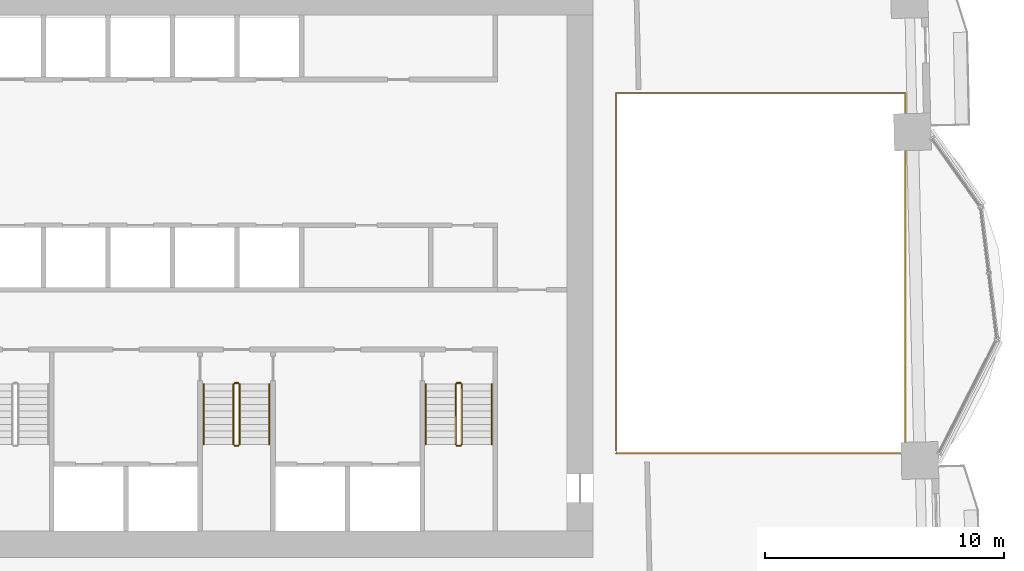
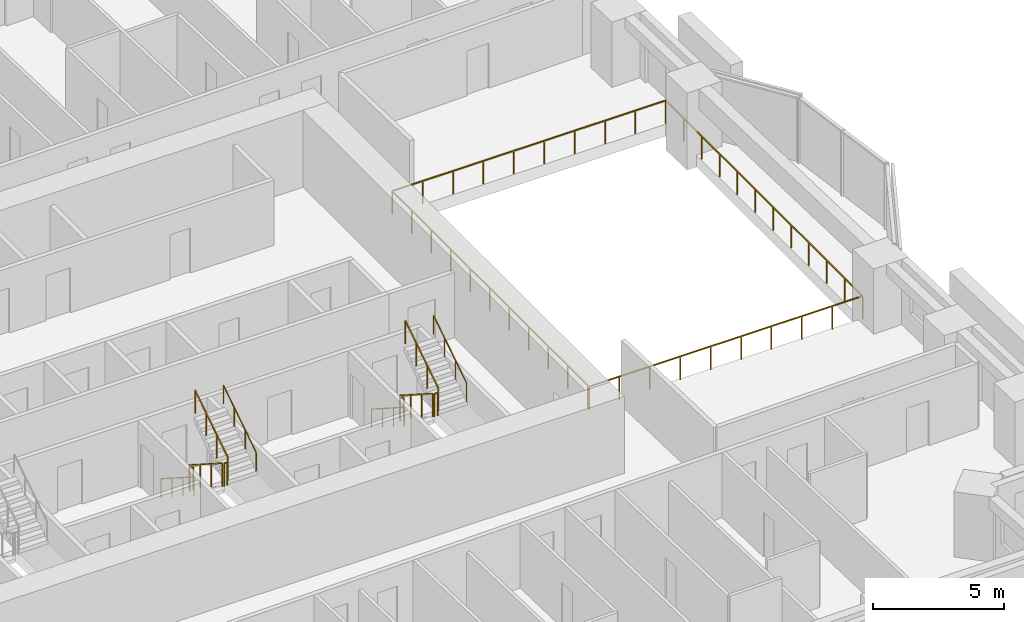
# One storey, part 15 of 16: 13 railings.
"""IFC4 building model written with IfcOpenShell, lengths in metres."""

from ifc_helpers import new_model, si_unit, direction, frame, origin, origin_2d, place, context, subcontext, project, spatial, rectangle, circle, extrude, material, type_object, element, save


model = new_model("IFC4")

# Units and contexts
model_context = context("Model", 3, precision=1e-05, world=origin(), true_north=direction((0.0, 1.0)))
body_context = subcontext(model_context, "Body", "Model", "MODEL_VIEW")
ifc_project = project(units=[si_unit("LENGTHUNIT", "METRE"), si_unit("AREAUNIT", "SQUARE_METRE"), si_unit("VOLUMEUNIT", "CUBIC_METRE"), si_unit("PLANEANGLEUNIT", "RADIAN"), si_unit("MASSUNIT", "GRAM", prefix="KILO")], contexts=[model_context])

# Site, building, storey
site_placement = place(None, origin())
site = spatial("IfcSite", under=ifc_project, at=site_placement, CompositionType="ELEMENT")
building_placement = place(site_placement, origin())
building = spatial("IfcBuilding", under=site, at=building_placement, Name="Mangrove Gate Tower", CompositionType="ELEMENT")
storey_placement = place(building_placement, frame((0.0, 0.0, 34.10009765625)))
storey = spatial("IfcBuildingStorey", under=building, at=storey_placement, Name="L07", CompositionType="ELEMENT", Elevation=34.10009765625)

# Railings
ifc_material_1 = material(Name="Stainless steel grade 316 with laminated glass infill", Category="steel")
railing_type_1 = type_object("IfcRailingType", Name="Balcony guard 1100", PredefinedType="GUARDRAIL", material=ifc_material_1)
railing_1_placement = place(storey_placement, frame((15.860107421875, -7.5400390625, 0.0)))
element("IfcRailing", 1, at=railing_1_placement, inside=storey, type_object=railing_type_1, Name="GUARD L07 atrium", PredefinedType="GUARDRAIL", context=body_context, shape_type="SweptSolid", body=[
    extrude(rectangle(XDim=0.048095703125, YDim=0.048095703125, at=origin_2d()), frame((0.0, 0.0, 1.076171875), z_axis=(1.0, 0.0, 0.0), x_axis=(0.0, 1.0, 0.0)), (0.0, 0.0, 1.0), 12.101806640625),
    extrude(rectangle(XDim=0.048095703125, YDim=0.048095703125, at=origin_2d()), frame((12.101806640625, 0.0, 1.076171875), z_axis=(0.0, 1.0, 0.0), x_axis=(-1.0, 0.0, 0.0)), (0.0, 0.0, 1.0), 15.080078125),
    extrude(rectangle(XDim=0.048095703125, YDim=0.048095703125, at=origin_2d()), frame((12.101806640625, 15.080078125, 1.076171875), z_axis=(-1.0, 0.0, 0.0), x_axis=(0.0, -1.0, 0.0)), (0.0, 0.0, 1.0), 12.101806640625),
    extrude(rectangle(XDim=0.048095703125, YDim=0.048095703125, at=origin_2d()), frame((0.0, 15.080078125, 1.076171875), z_axis=(0.0, -1.0, 0.0), x_axis=(1.0, 0.0, 0.0)), (0.0, 0.0, 1.0), 14.9599609375),
    extrude(rectangle(XDim=0.0419921875, YDim=0.0419921875, at=origin_2d()), origin(), (0.0, 0.0, 1.0), 1.052001953125),
    extrude(rectangle(XDim=0.0419921875, YDim=0.0419921875, at=origin_2d()), frame((1.3447265625, 0.0, 0.0)), (0.0, 0.0, 1.0), 1.052001953125),
    extrude(rectangle(XDim=0.0419921875, YDim=0.0419921875, at=origin_2d()), frame((2.689208984375, 0.0, 0.0)), (0.0, 0.0, 1.0), 1.052001953125),
    extrude(rectangle(XDim=0.0419921875, YDim=0.0419921875, at=origin_2d()), frame((4.033935546875, 0.0, 0.0)), (0.0, 0.0, 1.0), 1.052001953125),
    extrude(rectangle(XDim=0.0419921875, YDim=0.0419921875, at=origin_2d()), frame((5.378662109375, 0.0, 0.0)), (0.0, 0.0, 1.0), 1.052001953125),
    extrude(rectangle(XDim=0.0419921875, YDim=0.0419921875, at=origin_2d()), frame((6.72314453125, 0.0, 0.0)), (0.0, 0.0, 1.0), 1.052001953125),
    extrude(rectangle(XDim=0.0419921875, YDim=0.0419921875, at=origin_2d()), frame((8.06787109375, 0.0, 0.0)), (0.0, 0.0, 1.0), 1.052001953125),
    extrude(rectangle(XDim=0.0419921875, YDim=0.0419921875, at=origin_2d()), frame((9.41259765625, 0.0, 0.0)), (0.0, 0.0, 1.0), 1.052001953125),
    extrude(rectangle(XDim=0.0419921875, YDim=0.0419921875, at=origin_2d()), frame((10.757080078125, 0.0, 0.0)), (0.0, 0.0, 1.0), 1.052001953125),
    extrude(rectangle(XDim=0.0419921875, YDim=0.0419921875, at=origin_2d()), frame((12.101806640625, 0.0, 0.0)), (0.0, 0.0, 1.0), 1.052001953125),
    extrude(rectangle(XDim=0.0419921875, YDim=0.0419921875, at=origin_2d()), frame((12.101806640625, 1.370849609375, 0.0)), (0.0, 0.0, 1.0), 1.052001953125),
    extrude(rectangle(XDim=0.0419921875, YDim=0.0419921875, at=origin_2d()), frame((12.101806640625, 2.741943359375, 0.0)), (0.0, 0.0, 1.0), 1.052001953125),
    extrude(rectangle(XDim=0.0419921875, YDim=0.0419921875, at=origin_2d()), frame((12.101806640625, 4.11279296875, 0.0)), (0.0, 0.0, 1.0), 1.052001953125),
    extrude(rectangle(XDim=0.0419921875, YDim=0.0419921875, at=origin_2d()), frame((12.101806640625, 5.483642578125, 0.0)), (0.0, 0.0, 1.0), 1.052001953125),
    extrude(rectangle(XDim=0.0419921875, YDim=0.0419921875, at=origin_2d()), frame((12.101806640625, 6.8544921875, 0.0)), (0.0, 0.0, 1.0), 1.052001953125),
    extrude(rectangle(XDim=0.0419921875, YDim=0.0419921875, at=origin_2d()), frame((12.101806640625, 8.2255859375, 0.0)), (0.0, 0.0, 1.0), 1.052001953125),
    extrude(rectangle(XDim=0.0419921875, YDim=0.0419921875, at=origin_2d()), frame((12.101806640625, 9.596435546875, 0.0)), (0.0, 0.0, 1.0), 1.052001953125),
    extrude(rectangle(XDim=0.0419921875, YDim=0.0419921875, at=origin_2d()), frame((12.101806640625, 10.96728515625, 0.0)), (0.0, 0.0, 1.0), 1.052001953125),
    extrude(rectangle(XDim=0.0419921875, YDim=0.0419921875, at=origin_2d()), frame((12.101806640625, 12.338134765625, 0.0)), (0.0, 0.0, 1.0), 1.052001953125),
    extrude(rectangle(XDim=0.0419921875, YDim=0.0419921875, at=origin_2d()), frame((12.101806640625, 13.709228515625, 0.0)), (0.0, 0.0, 1.0), 1.052001953125),
    extrude(rectangle(XDim=0.0419921875, YDim=0.0419921875, at=origin_2d()), frame((12.101806640625, 15.080078125, 0.0)), (0.0, 0.0, 1.0), 1.052001953125),
    extrude(rectangle(XDim=0.0419921875, YDim=0.0419921875, at=origin_2d()), frame((10.757080078125, 15.080078125, 0.0)), (0.0, 0.0, 1.0), 1.052001953125),
    extrude(rectangle(XDim=0.0419921875, YDim=0.0419921875, at=origin_2d()), frame((9.41259765625, 15.080078125, 0.0)), (0.0, 0.0, 1.0), 1.052001953125),
    extrude(rectangle(XDim=0.0419921875, YDim=0.0419921875, at=origin_2d()), frame((8.06787109375, 15.080078125, 0.0)), (0.0, 0.0, 1.0), 1.052001953125),
    extrude(rectangle(XDim=0.0419921875, YDim=0.0419921875, at=origin_2d()), frame((6.72314453125, 15.080078125, 0.0)), (0.0, 0.0, 1.0), 1.052001953125),
    extrude(rectangle(XDim=0.0419921875, YDim=0.0419921875, at=origin_2d()), frame((5.378662109375, 15.080078125, 0.0)), (0.0, 0.0, 1.0), 1.052001953125),
    extrude(rectangle(XDim=0.0419921875, YDim=0.0419921875, at=origin_2d()), frame((4.033935546875, 15.080078125, 0.0)), (0.0, 0.0, 1.0), 1.052001953125),
    extrude(rectangle(XDim=0.0419921875, YDim=0.0419921875, at=origin_2d()), frame((2.689208984375, 15.080078125, 0.0)), (0.0, 0.0, 1.0), 1.052001953125),
    extrude(rectangle(XDim=0.0419921875, YDim=0.0419921875, at=origin_2d()), frame((1.3447265625, 15.080078125, 0.0)), (0.0, 0.0, 1.0), 1.052001953125),
    extrude(rectangle(XDim=0.0419921875, YDim=0.0419921875, at=origin_2d()), frame((0.0, 15.080078125, 0.0)), (0.0, 0.0, 1.0), 1.052001953125),
    extrude(rectangle(XDim=0.0419921875, YDim=0.0419921875, at=origin_2d()), frame((0.0, 13.583984375, 0.0)), (0.0, 0.0, 1.0), 1.052001953125),
    extrude(rectangle(XDim=0.0419921875, YDim=0.0419921875, at=origin_2d()), frame((0.0, 12.088134765625, 0.0)), (0.0, 0.0, 1.0), 1.052001953125),
    extrude(rectangle(XDim=0.0419921875, YDim=0.0419921875, at=origin_2d()), frame((0.0, 10.592041015625, 0.0)), (0.0, 0.0, 1.0), 1.052001953125),
    extrude(rectangle(XDim=0.0419921875, YDim=0.0419921875, at=origin_2d()), frame((0.0, 9.09619140625, 0.0)), (0.0, 0.0, 1.0), 1.052001953125),
    extrude(rectangle(XDim=0.0419921875, YDim=0.0419921875, at=origin_2d()), frame((0.0, 7.60009765625, 0.0)), (0.0, 0.0, 1.0), 1.052001953125),
    extrude(rectangle(XDim=0.0419921875, YDim=0.0419921875, at=origin_2d()), frame((0.0, 6.10400390625, 0.0)), (0.0, 0.0, 1.0), 1.052001953125),
    extrude(rectangle(XDim=0.0419921875, YDim=0.0419921875, at=origin_2d()), frame((0.0, 4.608154296875, 0.0)), (0.0, 0.0, 1.0), 1.052001953125),
    extrude(rectangle(XDim=0.0419921875, YDim=0.0419921875, at=origin_2d()), frame((0.0, 3.112060546875, 0.0)), (0.0, 0.0, 1.0), 1.052001953125),
    extrude(rectangle(XDim=0.0419921875, YDim=0.0419921875, at=origin_2d()), frame((0.0, 1.6162109375, 0.0)), (0.0, 0.0, 1.0), 1.052001953125),
    extrude(rectangle(XDim=0.0419921875, YDim=0.0419921875, at=origin_2d()), frame((0.0, 0.1201171875, 0.0)), (0.0, 0.0, 1.0), 1.052001953125),
])
ifc_material_2 = material(Name="Stainless steel 316", Category="steel")
railing_type_2 = type_object("IfcRailingType", Name="Core stair guard 1100", PredefinedType="GUARDRAIL", material=ifc_material_2)
railing_2_placement = place(storey_placement, frame((-0.14990234375, -4.64990234375, 0.179931640625)))
element("IfcRailing", 2, at=railing_2_placement, inside=storey, type_object=railing_type_2, Name="L07 ST2 stair guard 1", PredefinedType="GUARDRAIL", context=body_context, shape_type="SweptSolid", body=[
    extrude(rectangle(XDim=0.048095703125, YDim=0.048095703125, at=origin_2d()), frame((0.0, 0.0, 1.076171875), z_axis=(0.0, -0.841199657755, 0.540724639528), x_axis=(1.0, 0.0, 0.0)), (0.0, 0.0, 1.0), 2.995849609375),
    extrude(rectangle(XDim=0.0419921875, YDim=0.0419921875, at=origin_2d()), origin(), (0.0, 0.0, 1.0), 1.052001953125),
    extrude(rectangle(XDim=0.0419921875, YDim=0.0419921875, at=origin_2d()), frame((0.0, -0.840087890625, 0.5400390625)), (0.0, 0.0, 1.0), 1.052001953125),
    extrude(rectangle(XDim=0.0419921875, YDim=0.0419921875, at=origin_2d()), frame((0.0, -1.679931640625, 1.079833984375)), (0.0, 0.0, 1.0), 1.052001953125),
    extrude(rectangle(XDim=0.0419921875, YDim=0.0419921875, at=origin_2d()), frame((0.0, -2.52001953125, 1.619873046875)), (0.0, 0.0, 1.0), 1.052001953125),
])
railing_3_placement = place(storey_placement, frame((-0.10009765625, -7.219970703125, 1.7998046875)))
element("IfcRailing", 3, at=railing_3_placement, inside=storey, type_object=railing_type_2, Name="L07 ST2 stair guard 2", PredefinedType="GUARDRAIL", context=body_context, shape_type="SweptSolid", body=[
    extrude(rectangle(XDim=0.048095703125, YDim=0.048095703125, at=origin_2d()), frame((0.0, 0.0, 1.076171875), z_axis=(1.0, 0.0, 0.0), x_axis=(0.0, 1.0, 0.0)), (0.0, 0.0, 1.0), 0.150146484375),
    extrude(rectangle(XDim=0.0419921875, YDim=0.0419921875, at=origin_2d()), origin(), (0.0, 0.0, 1.0), 1.052001953125),
    extrude(rectangle(XDim=0.0419921875, YDim=0.0419921875, at=origin_2d()), frame((0.150146484375, 0.0, 0.0)), (0.0, 0.0, 1.0), 1.052001953125),
])
railing_4_placement = place(storey_placement, frame((0.10009765625, -7.169921875, 1.97998046875)))
element("IfcRailing", 4, at=railing_4_placement, inside=storey, type_object=railing_type_2, Name="L07 ST2 stair guard 3", PredefinedType="GUARDRAIL", context=body_context, shape_type="SweptSolid", body=[
    extrude(rectangle(XDim=0.048095703125, YDim=0.048095703125, at=origin_2d()), frame((0.0, 0.0, 1.076171875), z_axis=(0.0, 0.841199657755, 0.540724639528), x_axis=(-1.0, 0.0, 0.0)), (0.0, 0.0, 1.0), 2.995849609375),
    extrude(rectangle(XDim=0.0419921875, YDim=0.0419921875, at=origin_2d()), origin(), (0.0, 0.0, 1.0), 1.052001953125),
    extrude(rectangle(XDim=0.0419921875, YDim=0.0419921875, at=origin_2d()), frame((0.0, 0.840087890625, 0.5400390625)), (0.0, 0.0, 1.0), 1.052001953125),
    extrude(rectangle(XDim=0.0419921875, YDim=0.0419921875, at=origin_2d()), frame((0.0, 1.679931640625, 1.079833984375)), (0.0, 0.0, 1.0), 1.052001953125),
    extrude(rectangle(XDim=0.0419921875, YDim=0.0419921875, at=origin_2d()), frame((0.0, 2.52001953125, 1.619873046875)), (0.0, 0.0, 1.0), 1.052001953125),
])
railing_5_placement = place(storey_placement, frame((-0.10009765625, -4.60009765625, 0.0)))
element("IfcRailing", 5, at=railing_5_placement, inside=storey, type_object=railing_type_2, Name="L07 ST2 stair guard 4", PredefinedType="GUARDRAIL", context=body_context, shape_type="SweptSolid", body=[
    extrude(rectangle(XDim=0.048095703125, YDim=0.048095703125, at=origin_2d()), frame((0.0, 0.0, 1.076171875), z_axis=(1.0, 0.0, 0.0), x_axis=(0.0, 1.0, 0.0)), (0.0, 0.0, 1.0), 0.150146484375),
    extrude(rectangle(XDim=0.0419921875, YDim=0.0419921875, at=origin_2d()), origin(), (0.0, 0.0, 1.0), 1.052001953125),
    extrude(rectangle(XDim=0.0419921875, YDim=0.0419921875, at=origin_2d()), frame((0.150146484375, 0.0, 0.0)), (0.0, 0.0, 1.0), 1.052001953125),
])
railing_6_placement = place(storey_placement, frame((9.14990234375, -4.64990234375, 0.179931640625)))
element("IfcRailing", 6, at=railing_6_placement, inside=storey, type_object=railing_type_2, Name="L07 ST3 stair guard 1", PredefinedType="GUARDRAIL", context=body_context, shape_type="SweptSolid", body=[
    extrude(rectangle(XDim=0.048095703125, YDim=0.048095703125, at=origin_2d()), frame((0.0, 0.0, 1.076171875), z_axis=(0.0, -0.841199657755, 0.540724639528), x_axis=(1.0, 0.0, 0.0)), (0.0, 0.0, 1.0), 2.995849609375),
    extrude(rectangle(XDim=0.0419921875, YDim=0.0419921875, at=origin_2d()), origin(), (0.0, 0.0, 1.0), 1.052001953125),
    extrude(rectangle(XDim=0.0419921875, YDim=0.0419921875, at=origin_2d()), frame((0.0, -0.840087890625, 0.5400390625)), (0.0, 0.0, 1.0), 1.052001953125),
    extrude(rectangle(XDim=0.0419921875, YDim=0.0419921875, at=origin_2d()), frame((0.0, -1.679931640625, 1.079833984375)), (0.0, 0.0, 1.0), 1.052001953125),
    extrude(rectangle(XDim=0.0419921875, YDim=0.0419921875, at=origin_2d()), frame((0.0, -2.52001953125, 1.619873046875)), (0.0, 0.0, 1.0), 1.052001953125),
])
railing_7_placement = place(storey_placement, frame((9.199951171875, -7.219970703125, 1.7998046875)))
element("IfcRailing", 7, at=railing_7_placement, inside=storey, type_object=railing_type_2, Name="L07 ST3 stair guard 2", PredefinedType="GUARDRAIL", context=body_context, shape_type="SweptSolid", body=[
    extrude(rectangle(XDim=0.048095703125, YDim=0.048095703125, at=origin_2d()), frame((0.0, 0.0, 1.076171875), z_axis=(1.0, 0.0, 0.0), x_axis=(0.0, 1.0, 0.0)), (0.0, 0.0, 1.0), 0.150146484375),
    extrude(rectangle(XDim=0.0419921875, YDim=0.0419921875, at=origin_2d()), origin(), (0.0, 0.0, 1.0), 1.052001953125),
    extrude(rectangle(XDim=0.0419921875, YDim=0.0419921875, at=origin_2d()), frame((0.150146484375, 0.0, 0.0)), (0.0, 0.0, 1.0), 1.052001953125),
])
railing_8_placement = place(storey_placement, frame((9.39990234375, -7.169921875, 1.97998046875)))
element("IfcRailing", 8, at=railing_8_placement, inside=storey, type_object=railing_type_2, Name="L07 ST3 stair guard 3", PredefinedType="GUARDRAIL", context=body_context, shape_type="SweptSolid", body=[
    extrude(rectangle(XDim=0.048095703125, YDim=0.048095703125, at=origin_2d()), frame((0.0, 0.0, 1.076171875), z_axis=(0.0, 0.841199657755, 0.540724639528), x_axis=(-1.0, 0.0, 0.0)), (0.0, 0.0, 1.0), 2.995849609375),
    extrude(rectangle(XDim=0.0419921875, YDim=0.0419921875, at=origin_2d()), origin(), (0.0, 0.0, 1.0), 1.052001953125),
    extrude(rectangle(XDim=0.0419921875, YDim=0.0419921875, at=origin_2d()), frame((0.0, 0.840087890625, 0.5400390625)), (0.0, 0.0, 1.0), 1.052001953125),
    extrude(rectangle(XDim=0.0419921875, YDim=0.0419921875, at=origin_2d()), frame((0.0, 1.679931640625, 1.079833984375)), (0.0, 0.0, 1.0), 1.052001953125),
    extrude(rectangle(XDim=0.0419921875, YDim=0.0419921875, at=origin_2d()), frame((0.0, 2.52001953125, 1.619873046875)), (0.0, 0.0, 1.0), 1.052001953125),
])
railing_9_placement = place(storey_placement, frame((9.199951171875, -4.60009765625, 0.0)))
element("IfcRailing", 9, at=railing_9_placement, inside=storey, type_object=railing_type_2, Name="L07 ST3 stair guard 4", PredefinedType="GUARDRAIL", context=body_context, shape_type="SweptSolid", body=[
    extrude(rectangle(XDim=0.048095703125, YDim=0.048095703125, at=origin_2d()), frame((0.0, 0.0, 1.076171875), z_axis=(1.0, 0.0, 0.0), x_axis=(0.0, 1.0, 0.0)), (0.0, 0.0, 1.0), 0.150146484375),
    extrude(rectangle(XDim=0.0419921875, YDim=0.0419921875, at=origin_2d()), origin(), (0.0, 0.0, 1.0), 1.052001953125),
    extrude(rectangle(XDim=0.0419921875, YDim=0.0419921875, at=origin_2d()), frame((0.150146484375, 0.0, 0.0)), (0.0, 0.0, 1.0), 1.052001953125),
])
ifc_material_3 = material(Name="Stainless steel 316", Category="steel")
railing_type_3 = type_object("IfcRailingType", Name="Core stair handrail 900", PredefinedType="HANDRAIL", material=ifc_material_3)
railing_10_placement = place(storey_placement, frame((-1.39990234375, -4.64990234375, 0.179931640625)))
element("IfcRailing", 10, at=railing_10_placement, inside=storey, type_object=railing_type_3, Name="L07 ST2 stair handrail 1", PredefinedType="HANDRAIL", context=body_context, shape_type="SweptSolid", body=[
    extrude(circle(Radius=0.02392578125, at=origin_2d()), frame((0.0, 0.0, 0.8759765625), z_axis=(0.0, -0.841199657755, 0.540724639528), x_axis=(1.0, 0.0, 0.0)), (0.0, 0.0, 1.0), 2.995849609375),
    extrude(circle(Radius=0.02099609375, at=origin_2d()), origin(), (0.0, 0.0, 1.0), 0.851806640625),
    extrude(circle(Radius=0.02099609375, at=origin_2d()), frame((0.0, -0.840087890625, 0.5400390625)), (0.0, 0.0, 1.0), 0.851806640625),
    extrude(circle(Radius=0.02099609375, at=origin_2d()), frame((0.0, -1.679931640625, 1.079833984375)), (0.0, 0.0, 1.0), 0.851806640625),
    extrude(circle(Radius=0.02099609375, at=origin_2d()), frame((0.0, -2.52001953125, 1.619873046875)), (0.0, 0.0, 1.0), 0.851806640625),
])
railing_11_placement = place(storey_placement, frame((1.35009765625, -7.169921875, 1.97998046875)))
element("IfcRailing", 11, at=railing_11_placement, inside=storey, type_object=railing_type_3, Name="L07 ST2 stair handrail 2", PredefinedType="HANDRAIL", context=body_context, shape_type="SweptSolid", body=[
    extrude(circle(Radius=0.02392578125, at=origin_2d()), frame((0.0, 0.0, 0.8759765625), z_axis=(0.0, 0.841199657755, 0.540724639528), x_axis=(-1.0, 0.0, 0.0)), (0.0, 0.0, 1.0), 2.995849609375),
    extrude(circle(Radius=0.02099609375, at=origin_2d()), origin(), (0.0, 0.0, 1.0), 0.851806640625),
    extrude(circle(Radius=0.02099609375, at=origin_2d()), frame((0.0, 0.840087890625, 0.5400390625)), (0.0, 0.0, 1.0), 0.851806640625),
    extrude(circle(Radius=0.02099609375, at=origin_2d()), frame((0.0, 1.679931640625, 1.079833984375)), (0.0, 0.0, 1.0), 0.851806640625),
    extrude(circle(Radius=0.02099609375, at=origin_2d()), frame((0.0, 2.52001953125, 1.619873046875)), (0.0, 0.0, 1.0), 0.851806640625),
])
railing_12_placement = place(storey_placement, frame((7.89990234375, -4.64990234375, 0.179931640625)))
element("IfcRailing", 12, at=railing_12_placement, inside=storey, type_object=railing_type_3, Name="L07 ST3 stair handrail 1", PredefinedType="HANDRAIL", context=body_context, shape_type="SweptSolid", body=[
    extrude(circle(Radius=0.02392578125, at=origin_2d()), frame((0.0, 0.0, 0.8759765625), z_axis=(0.0, -0.841199657755, 0.540724639528), x_axis=(1.0, 0.0, 0.0)), (0.0, 0.0, 1.0), 2.995849609375),
    extrude(circle(Radius=0.02099609375, at=origin_2d()), origin(), (0.0, 0.0, 1.0), 0.851806640625),
    extrude(circle(Radius=0.02099609375, at=origin_2d()), frame((0.0, -0.840087890625, 0.5400390625)), (0.0, 0.0, 1.0), 0.851806640625),
    extrude(circle(Radius=0.02099609375, at=origin_2d()), frame((0.0, -1.679931640625, 1.079833984375)), (0.0, 0.0, 1.0), 0.851806640625),
    extrude(circle(Radius=0.02099609375, at=origin_2d()), frame((0.0, -2.52001953125, 1.619873046875)), (0.0, 0.0, 1.0), 0.851806640625),
])
railing_13_placement = place(storey_placement, frame((10.64990234375, -7.169921875, 1.97998046875)))
element("IfcRailing", 13, at=railing_13_placement, inside=storey, type_object=railing_type_3, Name="L07 ST3 stair handrail 2", PredefinedType="HANDRAIL", context=body_context, shape_type="SweptSolid", body=[
    extrude(circle(Radius=0.02392578125, at=origin_2d()), frame((0.0, 0.0, 0.8759765625), z_axis=(0.0, 0.841199657755, 0.540724639528), x_axis=(-1.0, 0.0, 0.0)), (0.0, 0.0, 1.0), 2.995849609375),
    extrude(circle(Radius=0.02099609375, at=origin_2d()), origin(), (0.0, 0.0, 1.0), 0.851806640625),
    extrude(circle(Radius=0.02099609375, at=origin_2d()), frame((0.0, 0.840087890625, 0.5400390625)), (0.0, 0.0, 1.0), 0.851806640625),
    extrude(circle(Radius=0.02099609375, at=origin_2d()), frame((0.0, 1.679931640625, 1.079833984375)), (0.0, 0.0, 1.0), 0.851806640625),
    extrude(circle(Radius=0.02099609375, at=origin_2d()), frame((0.0, 2.52001953125, 1.619873046875)), (0.0, 0.0, 1.0), 0.851806640625),
])

save(model, "model.ifc")
